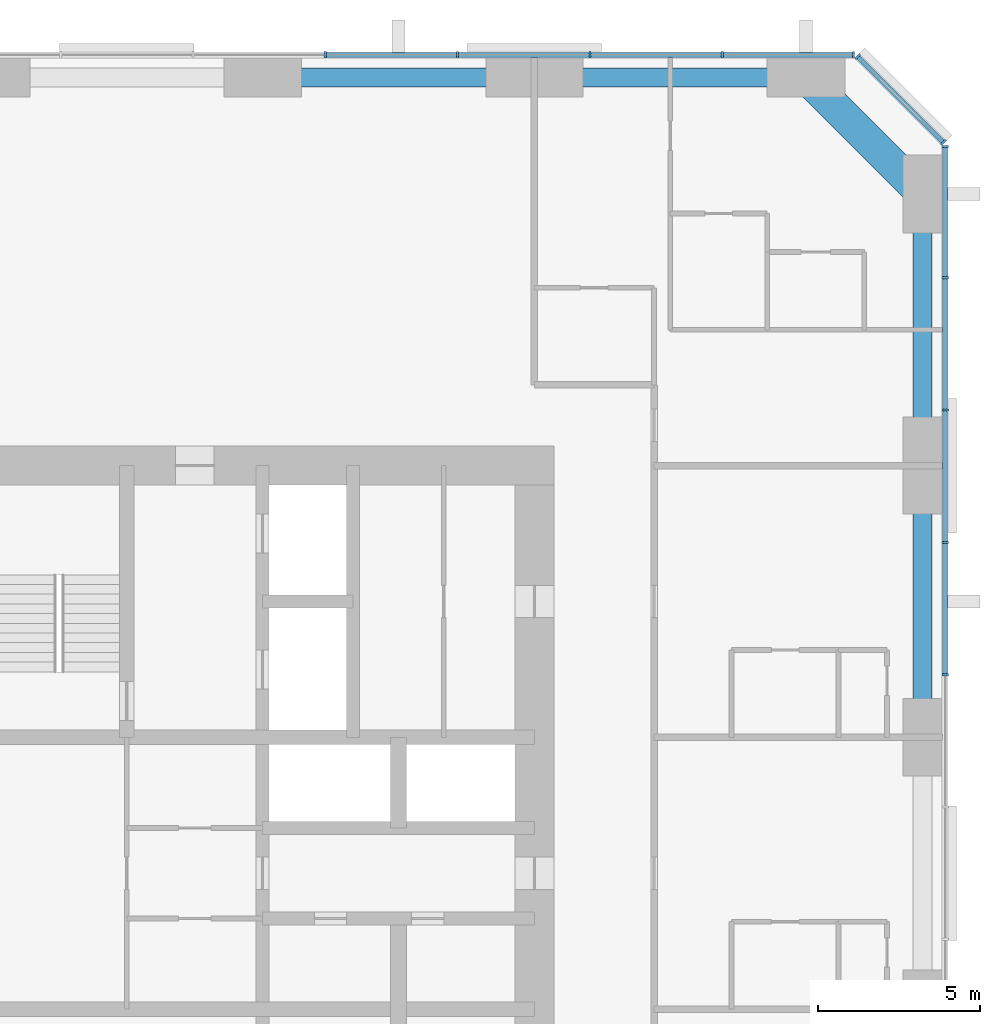
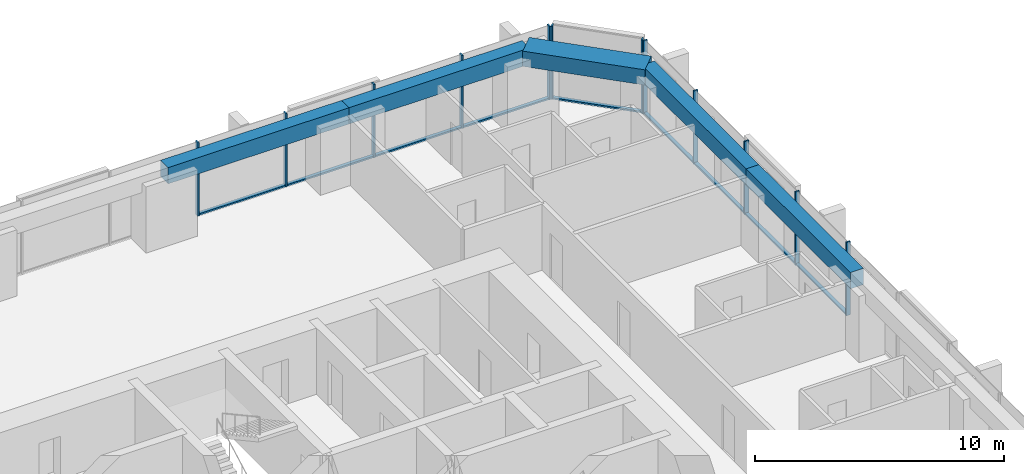
# One storey, part 6 of 14: 21 members, 5 beams, 3 elements without a shape of their own.
"""IFC4 building model written with IfcOpenShell, lengths in metres."""

from ifc_helpers import new_model, si_unit, direction, frame, origin, origin_2d, place, context, subcontext, project, spatial, rectangle, extrude, material, material_profile, profile_set, type_object, element, aggregate, save


model = new_model("IFC4")

# Units and contexts
model_context = context("Model", 3, precision=1e-05, world=origin(), true_north=direction((0.0, 1.0)))
body_context = subcontext(model_context, "Body", "Model", "MODEL_VIEW")
ifc_project = project(units=[si_unit("LENGTHUNIT", "METRE"), si_unit("AREAUNIT", "SQUARE_METRE"), si_unit("VOLUMEUNIT", "CUBIC_METRE"), si_unit("PLANEANGLEUNIT", "RADIAN"), si_unit("MASSUNIT", "GRAM", prefix="KILO")], contexts=[model_context])

# Site, building, storey
site_placement = place(None, origin())
site = spatial("IfcSite", under=ifc_project, at=site_placement, CompositionType="ELEMENT")
building_placement = place(site_placement, origin())
building = spatial("IfcBuilding", under=site, at=building_placement, Name="Dunama Terrace Hotel", CompositionType="ELEMENT")
storey_placement = place(building_placement, frame((0.0, 0.0, 213.0)))
storey = spatial("IfcBuildingStorey", under=building, at=storey_placement, Name="L55", CompositionType="ELEMENT", Elevation=213.0)

# Curtain wall, members
ifc_material_1 = material(Name="Aluminium curtain wall system", Category="aluminium")
curtain_wall_type = type_object("IfcCurtainWallType", Name="Unitised fritted glass wall CW-C", PredefinedType="NOTDEFINED", material=ifc_material_1)
curtain_wall_1_placement = place(storey_placement, origin())
curtain_wall_1 = element("IfcCurtainWall", 1, at=curtain_wall_1_placement, inside=storey, type_object=curtain_wall_type, Name="Unitised fritted glass wall CW-C L55", PredefinedType="NOTDEFINED")
ifc_material_2 = material(Name="Aluminium mullion", Category="aluminium")
ifc_material_profile_1 = material_profile(ifc_material_2, rectangle(XDim=0.070068359375, YDim=0.199951171875, at=origin_2d()), Name="CWC MULLION 70X200")
ifc_profile_set_1 = profile_set([ifc_material_profile_1], Name="Aluminium mullion")
member_type_1 = type_object("IfcMemberType", Name="CWC mullion 70x200", PredefinedType="MULLION", material=ifc_profile_set_1)
member_1_placement = place(storey_placement, frame((54.699951171875, 35.535888671875, 0.0), z_axis=(0.0, 0.0, 1.0), x_axis=(0.0, 1.0, 0.0)))
member_1 = element("IfcMember", 2, at=member_1_placement, type_object=member_type_1, Name="CWC mullion", PredefinedType="MULLION", context=body_context, shape_type="SweptSolid", body=[
    extrude(rectangle(XDim=0.070068359375, YDim=0.199951171875, at=origin_2d()), origin(), (0.0, 0.0, 1.0), 3.60009765625),
])
member_2_placement = place(storey_placement, frame((54.699951171875, 39.626953125, 0.0), z_axis=(0.0, 0.0, 1.0), x_axis=(0.0, 1.0, 0.0)))
member_2 = element("IfcMember", 3, at=member_2_placement, type_object=member_type_1, Name="CWC mullion", PredefinedType="MULLION", context=body_context, shape_type="SweptSolid", body=[
    extrude(rectangle(XDim=0.070068359375, YDim=0.199951171875, at=origin_2d()), origin(), (0.0, 0.0, 1.0), 3.60009765625),
])
member_3_placement = place(storey_placement, frame((54.699951171875, 43.718017578125, 0.0), z_axis=(0.0, 0.0, 1.0), x_axis=(0.0, 1.0, 0.0)))
member_3 = element("IfcMember", 4, at=member_3_placement, type_object=member_type_1, Name="CWC mullion", PredefinedType="MULLION", context=body_context, shape_type="SweptSolid", body=[
    extrude(rectangle(XDim=0.070068359375, YDim=0.199951171875, at=origin_2d()), origin(), (0.0, 0.0, 1.0), 3.60009765625),
])
member_4_placement = place(storey_placement, frame((54.699951171875, 47.80908203125, 0.0), z_axis=(0.0, 0.0, 1.0), x_axis=(0.0, 1.0, 0.0)))
member_4 = element("IfcMember", 5, at=member_4_placement, type_object=member_type_1, Name="CWC mullion", PredefinedType="MULLION", context=body_context, shape_type="SweptSolid", body=[
    extrude(rectangle(XDim=0.070068359375, YDim=0.199951171875, at=origin_2d()), origin(), (0.0, 0.0, 1.0), 3.60009765625),
])
member_5_placement = place(storey_placement, frame((54.699951171875, 51.864990234375, 0.0), z_axis=(0.0, 0.0, 1.0), x_axis=(0.0, 1.0, 0.0)))
member_5 = element("IfcMember", 6, at=member_5_placement, type_object=member_type_1, Name="CWC mullion", PredefinedType="MULLION", context=body_context, shape_type="SweptSolid", body=[
    extrude(rectangle(XDim=0.070068359375, YDim=0.199951171875, at=origin_2d()), origin(), (0.0, 0.0, 1.0), 3.60009765625),
])

curtain_wall_2_placement = place(storey_placement, origin())
curtain_wall_2 = element("IfcCurtainWall", 7, at=curtain_wall_2_placement, inside=storey, type_object=curtain_wall_type, Name="Unitised fritted glass wall CW-C L55", PredefinedType="NOTDEFINED")
member_6_placement = place(storey_placement, frame((54.64599609375, 51.9951171875, 0.0), z_axis=(0.0, 0.0, 1.0), x_axis=(-0.707106781187, 0.707106781187, 0.0)))
member_6 = element("IfcMember", 8, at=member_6_placement, type_object=member_type_1, Name="CWC mullion", PredefinedType="MULLION", context=body_context, shape_type="SweptSolid", body=[
    extrude(rectangle(XDim=0.070068359375, YDim=0.199951171875, at=origin_2d()), origin(), (0.0, 0.0, 1.0), 3.60009765625),
])
member_7_placement = place(storey_placement, frame((51.9951171875, 54.64599609375, 0.0), z_axis=(0.0, 0.0, 1.0), x_axis=(-0.707106781187, 0.707106781187, 0.0)))
member_7 = element("IfcMember", 9, at=member_7_placement, type_object=member_type_1, Name="CWC mullion", PredefinedType="MULLION", context=body_context, shape_type="SweptSolid", body=[
    extrude(rectangle(XDim=0.070068359375, YDim=0.199951171875, at=origin_2d()), origin(), (0.0, 0.0, 1.0), 3.60009765625),
])

curtain_wall_3_placement = place(storey_placement, origin())
curtain_wall_3 = element("IfcCurtainWall", 10, at=curtain_wall_3_placement, inside=storey, type_object=curtain_wall_type, Name="Unitised fritted glass wall CW-C L55", PredefinedType="NOTDEFINED")
member_8_placement = place(storey_placement, frame((51.864990234375, 54.699951171875, 0.0), z_axis=(0.0, 0.0, 1.0), x_axis=(-1.0, 0.0, 0.0)))
member_8 = element("IfcMember", 11, at=member_8_placement, type_object=member_type_1, Name="CWC mullion", PredefinedType="MULLION", context=body_context, shape_type="SweptSolid", body=[
    extrude(rectangle(XDim=0.070068359375, YDim=0.199951171875, at=origin_2d()), origin(), (0.0, 0.0, 1.0), 3.60009765625),
])
member_9_placement = place(storey_placement, frame((47.80908203125, 54.699951171875, 0.0), z_axis=(0.0, 0.0, 1.0), x_axis=(-1.0, 0.0, 0.0)))
member_9 = element("IfcMember", 12, at=member_9_placement, type_object=member_type_1, Name="CWC mullion", PredefinedType="MULLION", context=body_context, shape_type="SweptSolid", body=[
    extrude(rectangle(XDim=0.070068359375, YDim=0.199951171875, at=origin_2d()), origin(), (0.0, 0.0, 1.0), 3.60009765625),
])
member_10_placement = place(storey_placement, frame((43.718017578125, 54.699951171875, 0.0), z_axis=(0.0, 0.0, 1.0), x_axis=(-1.0, 0.0, 0.0)))
member_10 = element("IfcMember", 13, at=member_10_placement, type_object=member_type_1, Name="CWC mullion", PredefinedType="MULLION", context=body_context, shape_type="SweptSolid", body=[
    extrude(rectangle(XDim=0.070068359375, YDim=0.199951171875, at=origin_2d()), origin(), (0.0, 0.0, 1.0), 3.60009765625),
])
member_11_placement = place(storey_placement, frame((39.626953125, 54.699951171875, 0.0), z_axis=(0.0, 0.0, 1.0), x_axis=(-1.0, 0.0, 0.0)))
member_11 = element("IfcMember", 14, at=member_11_placement, type_object=member_type_1, Name="CWC mullion", PredefinedType="MULLION", context=body_context, shape_type="SweptSolid", body=[
    extrude(rectangle(XDim=0.070068359375, YDim=0.199951171875, at=origin_2d()), origin(), (0.0, 0.0, 1.0), 3.60009765625),
])
member_12_placement = place(storey_placement, frame((35.535888671875, 54.699951171875, 0.0), z_axis=(0.0, 0.0, 1.0), x_axis=(-1.0, 0.0, 0.0)))
member_12 = element("IfcMember", 15, at=member_12_placement, type_object=member_type_1, Name="CWC mullion", PredefinedType="MULLION", context=body_context, shape_type="SweptSolid", body=[
    extrude(rectangle(XDim=0.070068359375, YDim=0.199951171875, at=origin_2d()), origin(), (0.0, 0.0, 1.0), 3.60009765625),
])

# Member
ifc_material_3 = material(Name="Aluminium transom", Category="aluminium")
ifc_material_profile_2 = material_profile(ifc_material_3, rectangle(XDim=0.159912109375, YDim=0.080078125, at=origin_2d()), Name="CWC TRANSOM 160X80")
ifc_profile_set_2 = profile_set([ifc_material_profile_2], Name="Aluminium transom")
member_type_2 = type_object("IfcMemberType", Name="CWC transom 160x80", PredefinedType="USERDEFINED", material=ifc_profile_set_2)
member_13_placement = place(storey_placement, frame((54.699951171875, 35.571044921875, 0.0400390625), z_axis=(0.0, 1.0, 0.0), x_axis=(-1.0, 0.0, 0.0)))
member_13 = element("IfcMember", 16, at=member_13_placement, type_object=member_type_2, Name="CWC transom", ObjectType="TRANSOM", PredefinedType="USERDEFINED", context=body_context, shape_type="SweptSolid", body=[
    extrude(rectangle(XDim=0.159912109375, YDim=0.080078125, at=origin_2d()), origin(), (0.0, 0.0, 1.0), 4.02099609375),
])

member_14_placement = place(storey_placement, frame((54.699951171875, 39.662109375, 0.0400390625), z_axis=(0.0, 1.0, 0.0), x_axis=(-1.0, 0.0, 0.0)))
member_14 = element("IfcMember", 17, at=member_14_placement, type_object=member_type_2, Name="CWC transom", ObjectType="TRANSOM", PredefinedType="USERDEFINED", context=body_context, shape_type="SweptSolid", body=[
    extrude(rectangle(XDim=0.159912109375, YDim=0.080078125, at=origin_2d()), origin(), (0.0, 0.0, 1.0), 4.02099609375),
])

member_15_placement = place(storey_placement, frame((54.699951171875, 43.7529296875, 0.0400390625), z_axis=(0.0, 1.0, 0.0), x_axis=(-1.0, 0.0, 0.0)))
member_15 = element("IfcMember", 18, at=member_15_placement, type_object=member_type_2, Name="CWC transom", ObjectType="TRANSOM", PredefinedType="USERDEFINED", context=body_context, shape_type="SweptSolid", body=[
    extrude(rectangle(XDim=0.159912109375, YDim=0.080078125, at=origin_2d()), origin(), (0.0, 0.0, 1.0), 4.02099609375),
])

member_16_placement = place(storey_placement, frame((54.699951171875, 47.843994140625, 0.0400390625), z_axis=(0.0, 1.0, 0.0), x_axis=(-1.0, 0.0, 0.0)))
member_16 = element("IfcMember", 19, at=member_16_placement, type_object=member_type_2, Name="CWC transom", ObjectType="TRANSOM", PredefinedType="USERDEFINED", context=body_context, shape_type="SweptSolid", body=[
    extrude(rectangle(XDim=0.159912109375, YDim=0.080078125, at=origin_2d()), origin(), (0.0, 0.0, 1.0), 3.986083984375),
])

aggregate(curtain_wall_1, [member_1, member_2, member_3, member_4, member_5, member_13, member_14, member_15, member_16])

member_17_placement = place(storey_placement, frame((54.62109375, 52.02001953125, 0.0400390625), z_axis=(-0.707106781187, 0.707106781187, 0.0), x_axis=(-0.707106781187, -0.707106781187, 0.0)))
member_17 = element("IfcMember", 20, at=member_17_placement, type_object=member_type_2, Name="CWC transom", ObjectType="TRANSOM", PredefinedType="USERDEFINED", context=body_context, shape_type="SweptSolid", body=[
    extrude(rectangle(XDim=0.159912109375, YDim=0.080078125, at=origin_2d()), origin(), (0.0, 0.0, 1.0), 3.678466796875),
])

aggregate(curtain_wall_2, [member_6, member_7, member_17])

member_18_placement = place(storey_placement, frame((51.830078125, 54.699951171875, 0.0400390625), z_axis=(-1.0, 0.0, 0.0), x_axis=(0.0, -1.0, 0.0)))
member_18 = element("IfcMember", 21, at=member_18_placement, type_object=member_type_2, Name="CWC transom", ObjectType="TRANSOM", PredefinedType="USERDEFINED", context=body_context, shape_type="SweptSolid", body=[
    extrude(rectangle(XDim=0.159912109375, YDim=0.080078125, at=origin_2d()), origin(), (0.0, 0.0, 1.0), 3.986083984375),
])

member_19_placement = place(storey_placement, frame((47.77392578125, 54.699951171875, 0.0400390625), z_axis=(-1.0, 0.0, 0.0), x_axis=(0.0, -1.0, 0.0)))
member_19 = element("IfcMember", 22, at=member_19_placement, type_object=member_type_2, Name="CWC transom", ObjectType="TRANSOM", PredefinedType="USERDEFINED", context=body_context, shape_type="SweptSolid", body=[
    extrude(rectangle(XDim=0.159912109375, YDim=0.080078125, at=origin_2d()), origin(), (0.0, 0.0, 1.0), 4.02099609375),
])

member_20_placement = place(storey_placement, frame((43.68310546875, 54.699951171875, 0.0400390625), z_axis=(-1.0, 0.0, 0.0), x_axis=(0.0, -1.0, 0.0)))
member_20 = element("IfcMember", 23, at=member_20_placement, type_object=member_type_2, Name="CWC transom", ObjectType="TRANSOM", PredefinedType="USERDEFINED", context=body_context, shape_type="SweptSolid", body=[
    extrude(rectangle(XDim=0.159912109375, YDim=0.080078125, at=origin_2d()), origin(), (0.0, 0.0, 1.0), 4.02099609375),
])

member_21_placement = place(storey_placement, frame((39.592041015625, 54.699951171875, 0.0400390625), z_axis=(-1.0, 0.0, 0.0), x_axis=(0.0, -1.0, 0.0)))
member_21 = element("IfcMember", 24, at=member_21_placement, type_object=member_type_2, Name="CWC transom", ObjectType="TRANSOM", PredefinedType="USERDEFINED", context=body_context, shape_type="SweptSolid", body=[
    extrude(rectangle(XDim=0.159912109375, YDim=0.080078125, at=origin_2d()), origin(), (0.0, 0.0, 1.0), 4.02099609375),
])

aggregate(curtain_wall_3, [member_8, member_9, member_10, member_11, member_12, member_18, member_19, member_20, member_21])

# Beams
ifc_material_4 = material(Name="Concrete C50/60", Category="concrete")
ifc_material_profile_3 = material_profile(ifc_material_4, rectangle(XDim=1.0, YDim=0.75, at=origin_2d()), Name="RC 1000x750")
ifc_profile_set_3 = profile_set([ifc_material_profile_3], Name="Concrete C50/60")
beam_type_1 = type_object("IfcBeamType", Name="Edge beam RC 1000x750", PredefinedType="SPANDREL", material=ifc_profile_set_3)
beam_placement = place(storey_placement, frame((50.39990234375, 54.0, 3.22509765625), z_axis=(0.707106781187, -0.707106781187, 0.0), x_axis=(0.707106781187, 0.707106781187, 0.0)))
element("IfcBeam", 25, at=beam_placement, inside=storey, type_object=beam_type_1, Name="Corner edge beam under L56", PredefinedType="SPANDREL", context=body_context, shape_type="SweptSolid", body=[
    extrude(rectangle(XDim=1.0, YDim=0.75, at=origin_2d()), origin(), (0.0, 0.0, 1.0), 5.09130859375),
])
ifc_material_5 = material(Name="Concrete C40/50", Category="concrete")
ifc_material_profile_4 = material_profile(ifc_material_5, rectangle(XDim=0.60009765625, YDim=0.800048828125, at=origin_2d()), Name="RC 600x800")
ifc_profile_set_4 = profile_set([ifc_material_profile_4], Name="Concrete C40/50")
beam_type_2 = type_object("IfcBeamType", Name="Edge beam RC 600x800", PredefinedType="SPANDREL", material=ifc_profile_set_4)
for number, where, z_axis, x_axis, name in (
    (26, (54.0, 33.60009765625, 3.199951171875), (0.0, 1.0, 0.0), (-1.0, 0.0, 0.0), "Edge beam under L56"),
    (27, (54.0, 42.0, 3.199951171875), (0.0, 1.0, 0.0), (-1.0, 0.0, 0.0), "Edge beam under L56"),
    (28, (33.60009765625, 54.0, 3.199951171875), (1.0, 0.0, 0.0), (0.0, 1.0, 0.0), "Edge beam under L56"),
    (29, (42.0, 54.0, 3.199951171875), (1.0, 0.0, 0.0), (0.0, 1.0, 0.0), "Edge beam under L56"),
):
    element("IfcBeam", number, at=place(storey_placement, frame(where, z_axis=z_axis, x_axis=x_axis)), inside=storey, type_object=beam_type_2, Name=name, PredefinedType="SPANDREL", context=body_context, shape_type="SweptSolid", body=[
        extrude(rectangle(XDim=0.60009765625, YDim=0.800048828125, at=origin_2d()), origin(), (0.0, 0.0, 1.0), 8.39990234375),
    ])

save(model, "model.ifc")
